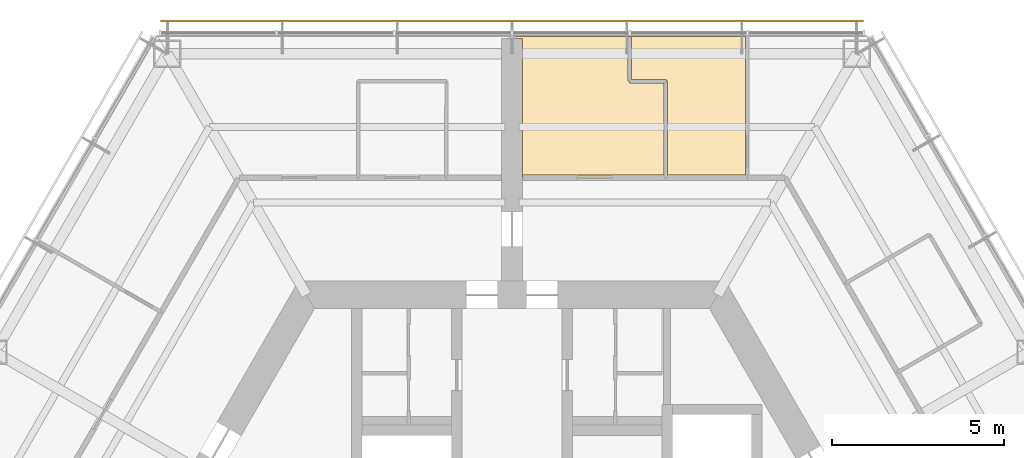
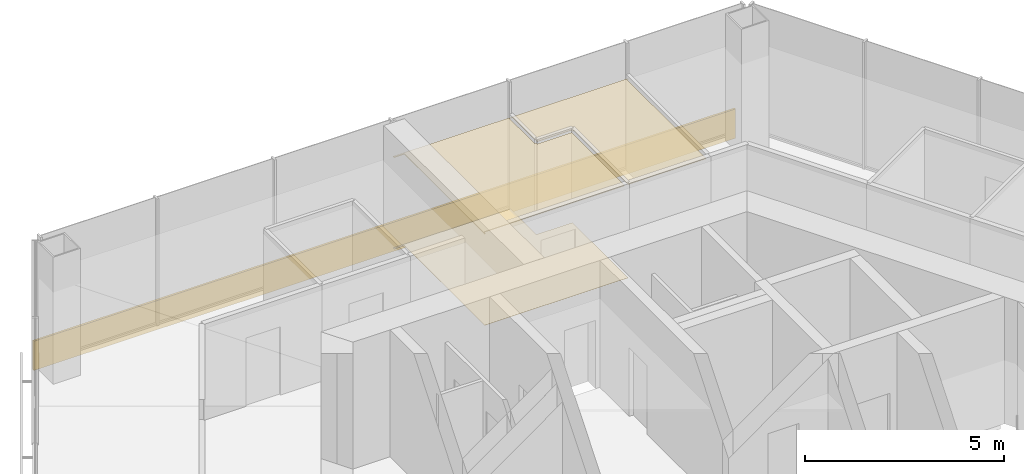
# One storey, part 13 of 13: 3 coverings, 1 shading device.
"""IFC4 building model written with IfcOpenShell, lengths in metres."""

from ifc_helpers import new_model, si_unit, direction, frame, origin, origin_2d, place, context, subcontext, project, spatial, polyline, rectangle, outline, extrude, material, layer, layer_set, type_object, element, save


model = new_model("IFC4")

# Units and contexts
model_context = context("Model", 3, precision=1e-05, world=origin(), true_north=direction((0.0, 1.0)))
body_context = subcontext(model_context, "Body", "Model", "MODEL_VIEW")
ifc_project = project(units=[si_unit("LENGTHUNIT", "METRE"), si_unit("AREAUNIT", "SQUARE_METRE"), si_unit("VOLUMEUNIT", "CUBIC_METRE"), si_unit("PLANEANGLEUNIT", "RADIAN"), si_unit("MASSUNIT", "GRAM", prefix="KILO")], contexts=[model_context])

# Site, building, storey
site_placement = place(None, origin())
site = spatial("IfcSite", under=ifc_project, at=site_placement, CompositionType="ELEMENT")
building_placement = place(site_placement, origin())
building = spatial("IfcBuilding", under=site, at=building_placement, Name="Kasaneha Research Tower", CompositionType="ELEMENT")
storey_placement = place(building_placement, frame((0.0, 0.0, 275.199951171875)))
storey = spatial("IfcBuildingStorey", under=building, at=storey_placement, Name="L69", CompositionType="ELEMENT", Elevation=275.199951171875)

# Coverings
ifc_material_1 = material(Name="Gypsum ceiling board", Category="gypsum")
ifc_layer_1 = layer(ifc_material_1, 0.02001953125)
ifc_layer_set_1 = layer_set([ifc_layer_1], Name="Suspended ceiling 20")
covering_type_1 = type_object("IfcCoveringType", Name="Suspended ceiling 20", PredefinedType="CEILING", material=ifc_layer_set_1)
covering_1_placement = place(storey_placement, frame((0.0, 0.0, 2.800048828125)))
element("IfcCovering", 1, at=covering_1_placement, inside=storey, type_object=covering_type_1, Name="Ceiling L69-28", PredefinedType="CEILING", context=body_context, shape_type="SweptSolid", body=[
    extrude(outline(polyline([(0.300048828125, 13.725341796875), (0.300048828125, 17.7705078125), (0.0, 17.7705078125), (-0.000244140625, 17.82080078125), (3.4150390625, 17.821044921875), (3.4150390625, 17.800537109375), (3.364990234375, 17.800537109375), (3.364990234375, 16.52490234375), (3.4150390625, 16.52490234375), (3.4150390625, 16.52490234375), (3.4150390625, 16.52490234375), (3.4150390625, 16.47509765625), (4.414794921875, 16.47509765625), (4.41015625, 13.800048828125), (0.320068359375, 13.800048828125), (0.320068359375, 13.725341796875), (0.300048828125, 13.725341796875)])), origin(), (0.0, 0.0, 1.0), 0.02001953125),
])
covering_2_placement = place(storey_placement, frame((0.0, 0.0, 2.800048828125)))
element("IfcCovering", 2, at=covering_2_placement, inside=storey, type_object=covering_type_1, Name="Ceiling L69-31", PredefinedType="CEILING", context=body_context, shape_type="SweptSolid", body=[
    extrude(outline(polyline([(6.8310546875, 17.800537109375), (6.781005859375, 17.800537109375), (6.776611328125, 13.800048828125), (4.510009765625, 13.800048828125), (4.514892578125, 16.52490234375), (4.465087890625, 16.52490234375), (4.465087890625, 16.574951171875), (3.465087890625, 16.574951171875), (3.465087890625, 17.800537109375), (3.41552734375, 17.800537109375), (3.41552734375, 17.820556640625), (6.8310546875, 17.820556640625), (6.8310546875, 17.800537109375)])), origin(), (0.0, 0.0, 1.0), 0.02001953125),
])

# Shading device
ifc_material_2 = material(Name="Terracotta", Category="masonry")
ifc_layer_2 = layer(ifc_material_2, 0.06005859375)
ifc_layer_set_2 = layer_set([ifc_layer_2], Name="Terracotta baguette screen")
shading_device_type = type_object("IfcShadingDeviceType", Name="Terracotta baguette screen", PredefinedType="USERDEFINED", material=ifc_layer_set_2)
shading_device_placement = place(storey_placement, frame((0.0, 18.2705078125, -0.449951171875), z_axis=(0.0, 0.0, 1.0), x_axis=(-1.0, 0.0, 0.0)))
element("IfcShadingDevice", 3, at=shading_device_placement, inside=storey, type_object=shading_device_type, Name="Baguette screen L69 02", ObjectType="TERRACOTTA BAGUETTE SCREEN", PredefinedType="USERDEFINED", context=body_context, shape_type="SweptSolid", body=[
    extrude(rectangle(XDim=20.392822265625, YDim=0.06005859375, at=origin_2d()), origin(), (0.0, 0.0, 1.0), 0.89990234375),
])

# Covering
ifc_material_3 = material(Name="Vinyl sheet flooring", Category="plastic")
ifc_layer_3 = layer(ifc_material_3, 0.0048828125)
ifc_layer_set_3 = layer_set([ifc_layer_3], Name="Wet room sheet flooring 5")
covering_type_2 = type_object("IfcCoveringType", Name="Wet room sheet flooring 5", PredefinedType="FLOORING", material=ifc_layer_set_3)
covering_3_placement = place(storey_placement, origin())
element("IfcCovering", 4, at=covering_3_placement, inside=storey, type_object=covering_type_2, Name="Floor finish L69-28", PredefinedType="FLOORING", context=body_context, shape_type="SweptSolid", body=[
    extrude(outline(polyline([(4.465087890625, 16.52490234375), (4.465087890625, 13.72509765625), (0.299560546875, 13.725341796875), (0.299560546875, 17.77001953125), (0.0, 17.77001953125), (-0.000244140625, 17.82080078125), (3.4150390625, 17.821044921875), (3.4150390625, 16.52490234375), (4.465087890625, 16.52490234375)])), origin(), (0.0, 0.0, 1.0), 0.005126953125),
])

save(model, "model.ifc")
